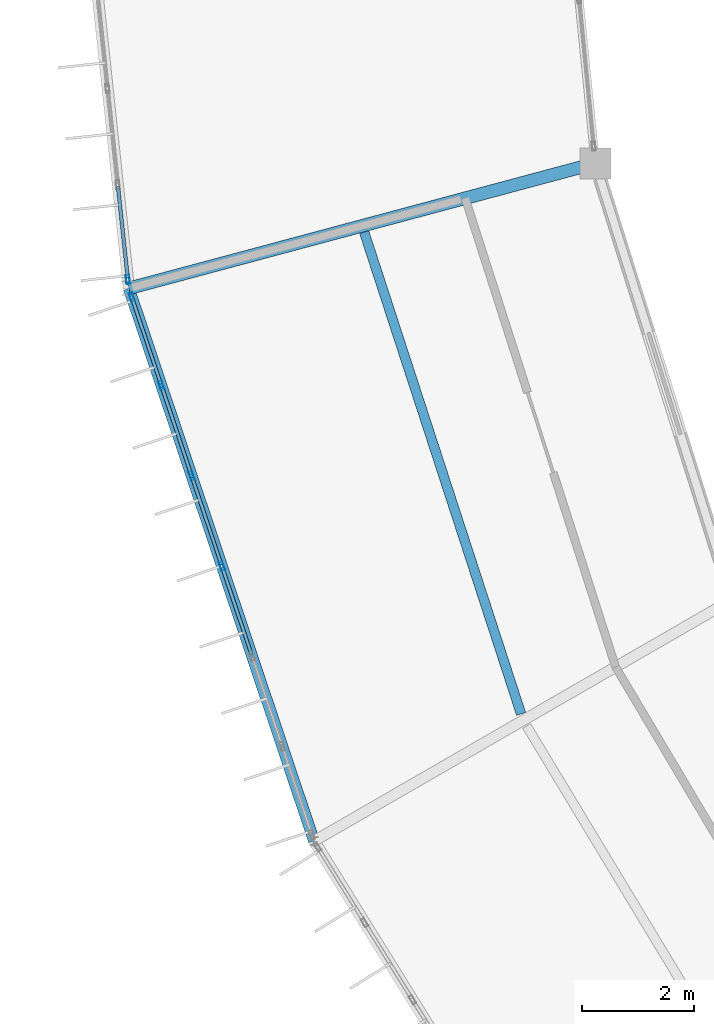
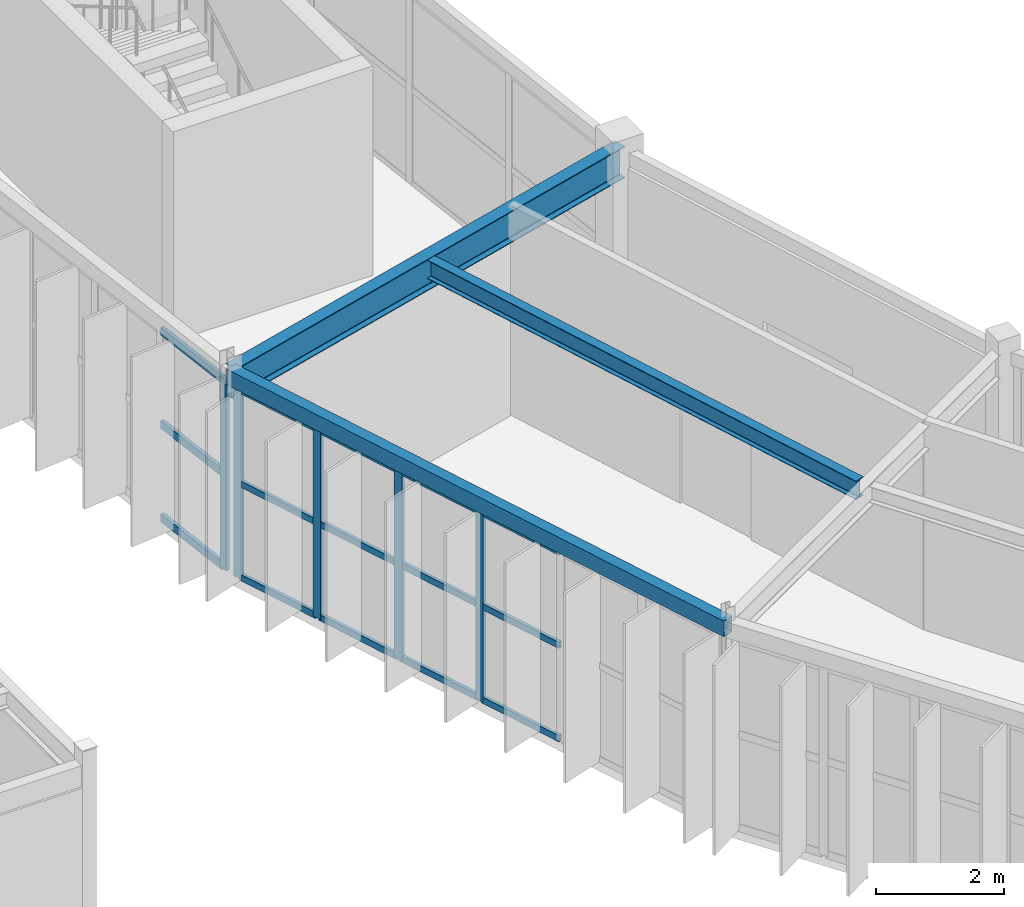
# One storey, part 36 of 130: 20 members, 3 beams, 2 elements without a shape of their own.
"""IFC4 building model written with IfcOpenShell, lengths in metres."""

from ifc_helpers import new_model, si_unit, direction, frame, origin, origin_2d, place, context, subcontext, project, spatial, hollow_rectangle, i_section, extrude, material, material_profile, profile_set, type_object, element, aggregate, save


model = new_model("IFC4")

# Units and contexts
model_context = context("Model", 3, precision=1e-05, world=origin(), true_north=direction((0.0, 1.0)))
body_context = subcontext(model_context, "Body", "Model", "MODEL_VIEW")
ifc_project = project(units=[si_unit("LENGTHUNIT", "METRE"), si_unit("AREAUNIT", "SQUARE_METRE"), si_unit("VOLUMEUNIT", "CUBIC_METRE"), si_unit("PLANEANGLEUNIT", "RADIAN"), si_unit("MASSUNIT", "GRAM", prefix="KILO")], contexts=[model_context])

# Site, building, storey
site_placement = place(None, origin())
site = spatial("IfcSite", under=ifc_project, at=site_placement, CompositionType="ELEMENT")
building_placement = place(site_placement, origin())
building = spatial("IfcBuilding", under=site, at=building_placement, Name="Karori Crest Natural Sciences Institute", CompositionType="ELEMENT")
storey_placement = place(building_placement, frame((0.0, 0.0, 17.5)))
storey = spatial("IfcBuildingStorey", under=building, at=storey_placement, Name="L04", CompositionType="ELEMENT", Elevation=17.5)

# Beams
ifc_material_1 = material(Name="Hollow structural steel AS/NZS 1163 Grade C350", Category="steel")
ifc_material_profile_1 = material_profile(ifc_material_1, hollow_rectangle(XDim=0.199951171875, YDim=0.300048828125, WallThickness=0.010009765625, at=origin_2d()), Name="RHS300x200x10")
ifc_profile_set_1 = profile_set([ifc_material_profile_1], Name="Hollow structural steel AS/NZS 1163 Grade C350")
beam_type_1 = type_object("IfcBeamType", Name="BT-15", PredefinedType="SPANDREL", material=ifc_profile_set_1)
beam_1_placement = place(storey_placement, frame((34.5244140625, 39.340087890625, 3.7900390625), z_axis=(0.317688324477, -0.948195195353, 0.0), x_axis=(0.948195195353, 0.317688324477, 0.0)))
element("IfcBeam", 1, at=beam_1_placement, inside=storey, type_object=beam_type_1, Name="Beam B-0498", PredefinedType="SPANDREL", context=body_context, shape_type="SweptSolid", body=[
    extrude(hollow_rectangle(XDim=0.199951171875, YDim=0.300048828125, WallThickness=0.010009765625, at=origin_2d()), origin(), (0.0, 0.0, 1.0), 10.377685546875),
])
ifc_material_2 = material(Name="Structural steel AS/NZS 3679.1 Grade 350", Category="steel")
ifc_material_profile_2 = material_profile(ifc_material_2, i_section(OverallWidth=0.22802734375, OverallDepth=0.60205078125, WebThickness=0.010498046875, FlangeThickness=0.014892578125, FilletRadius=0.013916015625, at=origin_2d()), Name="610UB101")
ifc_profile_set_2 = profile_set([ifc_material_profile_2], Name="Structural steel AS/NZS 3679.1 Grade 350")
beam_type_2 = type_object("IfcBeamType", Name="BT-27", PredefinedType="BEAM", material=ifc_profile_set_2)
beam_2_placement = place(storey_placement, frame((42.831298828125, 41.56591796875, 3.638916015625), z_axis=(-0.965925622404, -0.258819806009, 0.0), x_axis=(0.258819806009, -0.965925622404, 0.0)))
element("IfcBeam", 2, at=beam_2_placement, inside=storey, type_object=beam_type_2, Name="Beam B-0500", PredefinedType="BEAM", context=body_context, shape_type="SweptSolid", body=[
    extrude(i_section(OverallWidth=0.22802734375, OverallDepth=0.60205078125, WebThickness=0.010498046875, FlangeThickness=0.014892578125, FilletRadius=0.013916015625, at=origin_2d()), origin(), (0.0, 0.0, 1.0), 8.599853515625),
])
ifc_material_profile_3 = material_profile(ifc_material_2, i_section(OverallWidth=0.1708984375, OverallDepth=0.35595703125, WebThickness=0.00732421875, FlangeThickness=0.011474609375, FilletRadius=0.010986328125, at=origin_2d()), Name="360UB50.7")
ifc_profile_set_3 = profile_set([ifc_material_profile_3], Name="Structural steel AS/NZS 3679.1 Grade 350")
beam_type_3 = type_object("IfcBeamType", Name="BT-30", PredefinedType="BEAM", material=ifc_profile_set_3)
beam_3_placement = place(storey_placement, frame((38.715087890625, 40.339111328125, 3.761962890625), z_axis=(0.309674277679, -0.950842700842, 0.0), x_axis=(0.950842700842, 0.309674277679, 0.0)))
element("IfcBeam", 3, at=beam_3_placement, inside=storey, type_object=beam_type_3, Name="Beam B-0501", PredefinedType="BEAM", context=body_context, shape_type="SweptSolid", body=[
    extrude(i_section(OverallWidth=0.1708984375, OverallDepth=0.35595703125, WebThickness=0.00732421875, FlangeThickness=0.011474609375, FilletRadius=0.010986328125, at=origin_2d()), origin(), (0.0, 0.0, 1.0), 9.018310546875),
])

# Curtain wall, member
ifc_material_3 = material(Name="Anodised architectural aluminium 6063-T6", Category="aluminium")
curtain_wall_type_1 = type_object("IfcCurtainWallType", Name="CWT-03", PredefinedType="NOTDEFINED", material=ifc_material_3)
curtain_wall_1_placement = place(storey_placement, origin())
curtain_wall_1 = element("IfcCurtainWall", 4, at=curtain_wall_1_placement, inside=storey, type_object=curtain_wall_type_1, Name="Curtain wall CW-0154", PredefinedType="NOTDEFINED")
ifc_material_profile_4 = material_profile(ifc_material_3, hollow_rectangle(XDim=0.06494140625, YDim=0.159912109375, WallThickness=0.00390625, at=origin_2d()), Name="CWM160x65x4")
ifc_profile_set_4 = profile_set([ifc_material_profile_4], Name="Anodised architectural aluminium 6063-T6")
member_type_1 = type_object("IfcMemberType", Name="CWM-01", PredefinedType="MULLION", material=ifc_profile_set_4)
member_1_placement = place(storey_placement, frame((34.507568359375, 39.49755859375, 0.0), z_axis=(0.0, 0.0, 1.0), x_axis=(-0.994378435661, -0.105884496939, 0.0)))
member_1 = element("IfcMember", 5, at=member_1_placement, type_object=member_type_1, Name="CW-0154 mullion 1", PredefinedType="MULLION", context=body_context, shape_type="SweptSolid", body=[
    extrude(hollow_rectangle(XDim=0.06494140625, YDim=0.159912109375, WallThickness=0.00390625, at=origin_2d()), origin(), (0.0, 0.0, 1.0), 3.625),
])

# Curtain wall, members
curtain_wall_type_2 = type_object("IfcCurtainWallType", Name="CWT-04", PredefinedType="NOTDEFINED", material=ifc_material_3)
curtain_wall_2_placement = place(storey_placement, origin())
curtain_wall_2 = element("IfcCurtainWall", 6, at=curtain_wall_2_placement, inside=storey, type_object=curtain_wall_type_2, Name="Curtain wall CW-0156", PredefinedType="NOTDEFINED")
member_2_placement = place(storey_placement, frame((36.180419921875, 34.397216796875, 0.0), z_axis=(0.0, 0.0, 1.0), x_axis=(-0.94819805026, -0.317679803392, 0.0)))
member_2 = element("IfcMember", 7, at=member_2_placement, type_object=member_type_1, Name="CW-0156 mullion 4", PredefinedType="MULLION", context=body_context, shape_type="SweptSolid", body=[
    extrude(hollow_rectangle(XDim=0.06494140625, YDim=0.159912109375, WallThickness=0.00390625, at=origin_2d()), origin(), (0.0, 0.0, 1.0), 3.625),
])
member_3_placement = place(storey_placement, frame((35.642333984375, 36.003173828125, 0.0), z_axis=(0.0, 0.0, 1.0), x_axis=(-0.94819805026, -0.317679803392, 0.0)))
member_3 = element("IfcMember", 8, at=member_3_placement, type_object=member_type_1, Name="CW-0156 mullion 5", PredefinedType="MULLION", context=body_context, shape_type="SweptSolid", body=[
    extrude(hollow_rectangle(XDim=0.06494140625, YDim=0.159912109375, WallThickness=0.00390625, at=origin_2d()), origin(), (0.0, 0.0, 1.0), 3.625),
])
member_4_placement = place(storey_placement, frame((35.104248046875, 37.609130859375, 0.0), z_axis=(0.0, 0.0, 1.0), x_axis=(-0.94819805026, -0.317679803392, 0.0)))
member_4 = element("IfcMember", 9, at=member_4_placement, type_object=member_type_1, Name="CW-0156 mullion 6", PredefinedType="MULLION", context=body_context, shape_type="SweptSolid", body=[
    extrude(hollow_rectangle(XDim=0.06494140625, YDim=0.159912109375, WallThickness=0.00390625, at=origin_2d()), origin(), (0.0, 0.0, 1.0), 3.625),
])
member_5_placement = place(storey_placement, frame((34.57666015625, 39.184326171875, 0.0), z_axis=(0.0, 0.0, 1.0), x_axis=(-0.94819805026, -0.317679803392, 0.0)))
member_5 = element("IfcMember", 10, at=member_5_placement, type_object=member_type_1, Name="CW-0156 mullion 7", PredefinedType="MULLION", context=body_context, shape_type="SweptSolid", body=[
    extrude(hollow_rectangle(XDim=0.06494140625, YDim=0.159912109375, WallThickness=0.00390625, at=origin_2d()), origin(), (0.0, 0.0, 1.0), 3.625),
])
ifc_material_profile_5 = material_profile(ifc_material_3, hollow_rectangle(XDim=0.06005859375, YDim=0.1201171875, WallThickness=0.00390625, at=origin_2d()), Name="CWT120x60x4")
ifc_profile_set_5 = profile_set([ifc_material_profile_5], Name="Anodised architectural aluminium 6063-T6")
member_type_2 = type_object("IfcMemberType", Name="CWT-TR1", PredefinedType="USERDEFINED", material=ifc_profile_set_5)
member_6_placement = place(storey_placement, frame((36.708251953125, 32.822021484375, 0.030029296875), z_axis=(-0.317666571129, 0.948202483432, 0.0), x_axis=(-0.948202483432, -0.317666571129, 0.0)))
member_6 = element("IfcMember", 11, at=member_6_placement, type_object=member_type_2, Name="CW-0156 transom 3.1", ObjectType="TRANSOM", PredefinedType="USERDEFINED", context=body_context, shape_type="SweptSolid", body=[
    extrude(hollow_rectangle(XDim=0.06005859375, YDim=0.1201171875, WallThickness=0.00390625, at=origin_2d()), origin(), (0.0, 0.0, 1.0), 1.628662109375),
])
member_7_placement = place(storey_placement, frame((36.708251953125, 32.822021484375, 1.8125), z_axis=(-0.317666571129, 0.948202483432, 0.0), x_axis=(-0.948202483432, -0.317666571129, 0.0)))
member_7 = element("IfcMember", 12, at=member_7_placement, type_object=member_type_2, Name="CW-0156 transom 3.2", ObjectType="TRANSOM", PredefinedType="USERDEFINED", context=body_context, shape_type="SweptSolid", body=[
    extrude(hollow_rectangle(XDim=0.06005859375, YDim=0.1201171875, WallThickness=0.00390625, at=origin_2d()), origin(), (0.0, 0.0, 1.0), 1.628662109375),
])
member_8_placement = place(storey_placement, frame((36.708251953125, 32.822021484375, 3.594970703125), z_axis=(-0.317666571129, 0.948202483432, 0.0), x_axis=(-0.948202483432, -0.317666571129, 0.0)))
member_8 = element("IfcMember", 13, at=member_8_placement, type_object=member_type_2, Name="CW-0156 transom 3.3", ObjectType="TRANSOM", PredefinedType="USERDEFINED", context=body_context, shape_type="SweptSolid", body=[
    extrude(hollow_rectangle(XDim=0.06005859375, YDim=0.1201171875, WallThickness=0.00390625, at=origin_2d()), origin(), (0.0, 0.0, 1.0), 1.628662109375),
])
member_9_placement = place(storey_placement, frame((36.170166015625, 34.427978515625, 0.030029296875), z_axis=(-0.317666571129, 0.948202483432, 0.0), x_axis=(-0.948202483432, -0.317666571129, 0.0)))
member_9 = element("IfcMember", 14, at=member_9_placement, type_object=member_type_2, Name="CW-0156 transom 4.1", ObjectType="TRANSOM", PredefinedType="USERDEFINED", context=body_context, shape_type="SweptSolid", body=[
    extrude(hollow_rectangle(XDim=0.06005859375, YDim=0.1201171875, WallThickness=0.00390625, at=origin_2d()), origin(), (0.0, 0.0, 1.0), 1.628662109375),
])
member_10_placement = place(storey_placement, frame((36.170166015625, 34.427978515625, 1.8125), z_axis=(-0.317666571129, 0.948202483432, 0.0), x_axis=(-0.948202483432, -0.317666571129, 0.0)))
member_10 = element("IfcMember", 15, at=member_10_placement, type_object=member_type_2, Name="CW-0156 transom 4.2", ObjectType="TRANSOM", PredefinedType="USERDEFINED", context=body_context, shape_type="SweptSolid", body=[
    extrude(hollow_rectangle(XDim=0.06005859375, YDim=0.1201171875, WallThickness=0.00390625, at=origin_2d()), origin(), (0.0, 0.0, 1.0), 1.628662109375),
])
member_11_placement = place(storey_placement, frame((36.170166015625, 34.427978515625, 3.594970703125), z_axis=(-0.317666571129, 0.948202483432, 0.0), x_axis=(-0.948202483432, -0.317666571129, 0.0)))
member_11 = element("IfcMember", 16, at=member_11_placement, type_object=member_type_2, Name="CW-0156 transom 4.3", ObjectType="TRANSOM", PredefinedType="USERDEFINED", context=body_context, shape_type="SweptSolid", body=[
    extrude(hollow_rectangle(XDim=0.06005859375, YDim=0.1201171875, WallThickness=0.00390625, at=origin_2d()), origin(), (0.0, 0.0, 1.0), 1.628662109375),
])
member_12_placement = place(storey_placement, frame((35.632080078125, 36.033935546875, 0.030029296875), z_axis=(-0.317621421426, 0.948217608279, 0.0), x_axis=(-0.948217608279, -0.317621421426, 0.0)))
member_12 = element("IfcMember", 17, at=member_12_placement, type_object=member_type_2, Name="CW-0156 transom 5.1", ObjectType="TRANSOM", PredefinedType="USERDEFINED", context=body_context, shape_type="SweptSolid", body=[
    extrude(hollow_rectangle(XDim=0.06005859375, YDim=0.1201171875, WallThickness=0.00390625, at=origin_2d()), origin(), (0.0, 0.0, 1.0), 1.628662109375),
])
member_13_placement = place(storey_placement, frame((35.632080078125, 36.033935546875, 1.8125), z_axis=(-0.317621421426, 0.948217608279, 0.0), x_axis=(-0.948217608279, -0.317621421426, 0.0)))
member_13 = element("IfcMember", 18, at=member_13_placement, type_object=member_type_2, Name="CW-0156 transom 5.2", ObjectType="TRANSOM", PredefinedType="USERDEFINED", context=body_context, shape_type="SweptSolid", body=[
    extrude(hollow_rectangle(XDim=0.06005859375, YDim=0.1201171875, WallThickness=0.00390625, at=origin_2d()), origin(), (0.0, 0.0, 1.0), 1.628662109375),
])
member_14_placement = place(storey_placement, frame((35.632080078125, 36.033935546875, 3.594970703125), z_axis=(-0.317621421426, 0.948217608279, 0.0), x_axis=(-0.948217608279, -0.317621421426, 0.0)))
member_14 = element("IfcMember", 19, at=member_14_placement, type_object=member_type_2, Name="CW-0156 transom 5.3", ObjectType="TRANSOM", PredefinedType="USERDEFINED", context=body_context, shape_type="SweptSolid", body=[
    extrude(hollow_rectangle(XDim=0.06005859375, YDim=0.1201171875, WallThickness=0.00390625, at=origin_2d()), origin(), (0.0, 0.0, 1.0), 1.628662109375),
])
member_15_placement = place(storey_placement, frame((35.093994140625, 37.639892578125, 0.030029296875), z_axis=(-0.317649722808, 0.948208127786, 0.0), x_axis=(-0.948208127786, -0.317649722808, 0.0)))
member_15 = element("IfcMember", 20, at=member_15_placement, type_object=member_type_2, Name="CW-0156 transom 6.1", ObjectType="TRANSOM", PredefinedType="USERDEFINED", context=body_context, shape_type="SweptSolid", body=[
    extrude(hollow_rectangle(XDim=0.06005859375, YDim=0.1201171875, WallThickness=0.00390625, at=origin_2d()), origin(), (0.0, 0.0, 1.0), 1.596435546875),
])
member_16_placement = place(storey_placement, frame((35.093994140625, 37.639892578125, 1.8125), z_axis=(-0.317649722808, 0.948208127786, 0.0), x_axis=(-0.948208127786, -0.317649722808, 0.0)))
member_16 = element("IfcMember", 21, at=member_16_placement, type_object=member_type_2, Name="CW-0156 transom 6.2", ObjectType="TRANSOM", PredefinedType="USERDEFINED", context=body_context, shape_type="SweptSolid", body=[
    extrude(hollow_rectangle(XDim=0.06005859375, YDim=0.1201171875, WallThickness=0.00390625, at=origin_2d()), origin(), (0.0, 0.0, 1.0), 1.596435546875),
])
member_17_placement = place(storey_placement, frame((35.093994140625, 37.639892578125, 3.594970703125), z_axis=(-0.317649722808, 0.948208127786, 0.0), x_axis=(-0.948208127786, -0.317649722808, 0.0)))
member_17 = element("IfcMember", 22, at=member_17_placement, type_object=member_type_2, Name="CW-0156 transom 6.3", ObjectType="TRANSOM", PredefinedType="USERDEFINED", context=body_context, shape_type="SweptSolid", body=[
    extrude(hollow_rectangle(XDim=0.06005859375, YDim=0.1201171875, WallThickness=0.00390625, at=origin_2d()), origin(), (0.0, 0.0, 1.0), 1.596435546875),
])
aggregate(curtain_wall_2, [member_2, member_3, member_4, member_5, member_6, member_7, member_8, member_9, member_10, member_11, member_12, member_13, member_14, member_15, member_16, member_17])

# Member
ifc_material_profile_6 = material_profile(ifc_material_3, hollow_rectangle(XDim=0.06494140625, YDim=0.14990234375, WallThickness=0.00390625, at=origin_2d()), Name="CWT150x65x4")
ifc_profile_set_6 = profile_set([ifc_material_profile_6], Name="Anodised architectural aluminium 6063-T6")
member_type_3 = type_object("IfcMemberType", Name="CWT-TR2", PredefinedType="USERDEFINED", material=ifc_profile_set_6)
member_18_placement = place(storey_placement, frame((34.504150390625, 39.52978515625, 0.032470703125), z_axis=(-0.105893191658, 0.994377509782, 0.0), x_axis=(-0.994377509782, -0.105893191658, 0.0)))
member_18 = element("IfcMember", 23, at=member_18_placement, type_object=member_type_3, Name="CW-0154 transom 1.1", ObjectType="TRANSOM", PredefinedType="USERDEFINED", context=body_context, shape_type="SweptSolid", body=[
    extrude(hollow_rectangle(XDim=0.06494140625, YDim=0.14990234375, WallThickness=0.00390625, at=origin_2d()), origin(), (0.0, 0.0, 1.0), 1.630126953125),
])

member_19_placement = place(storey_placement, frame((34.504150390625, 39.52978515625, 1.8125), z_axis=(-0.105893191658, 0.994377509782, 0.0), x_axis=(-0.994377509782, -0.105893191658, 0.0)))
member_19 = element("IfcMember", 24, at=member_19_placement, type_object=member_type_3, Name="CW-0154 transom 1.2", ObjectType="TRANSOM", PredefinedType="USERDEFINED", context=body_context, shape_type="SweptSolid", body=[
    extrude(hollow_rectangle(XDim=0.06494140625, YDim=0.14990234375, WallThickness=0.00390625, at=origin_2d()), origin(), (0.0, 0.0, 1.0), 1.630126953125),
])

member_20_placement = place(storey_placement, frame((34.504150390625, 39.52978515625, 3.592529296875), z_axis=(-0.105893191658, 0.994377509782, 0.0), x_axis=(-0.994377509782, -0.105893191658, 0.0)))
member_20 = element("IfcMember", 25, at=member_20_placement, type_object=member_type_3, Name="CW-0154 transom 1.3", ObjectType="TRANSOM", PredefinedType="USERDEFINED", context=body_context, shape_type="SweptSolid", body=[
    extrude(hollow_rectangle(XDim=0.06494140625, YDim=0.14990234375, WallThickness=0.00390625, at=origin_2d()), origin(), (0.0, 0.0, 1.0), 1.630126953125),
])

aggregate(curtain_wall_1, [member_1, member_18, member_19, member_20])

save(model, "model.ifc")
